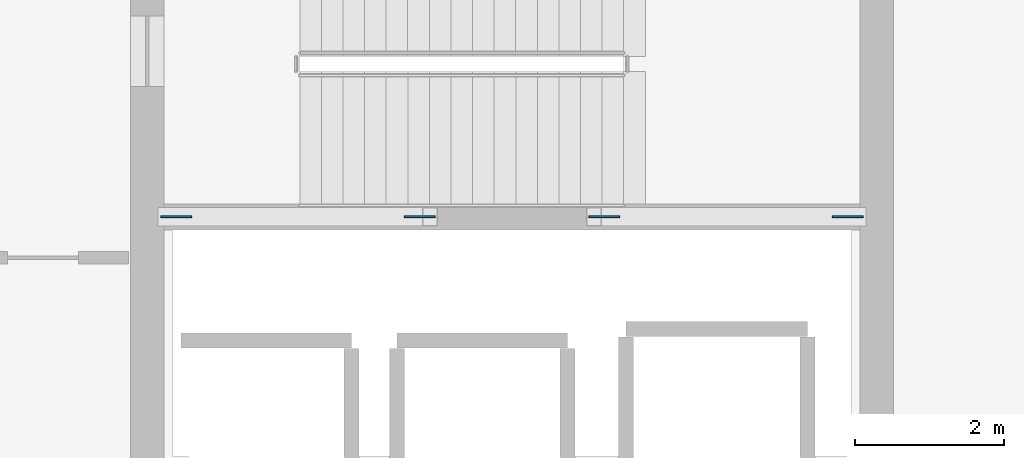
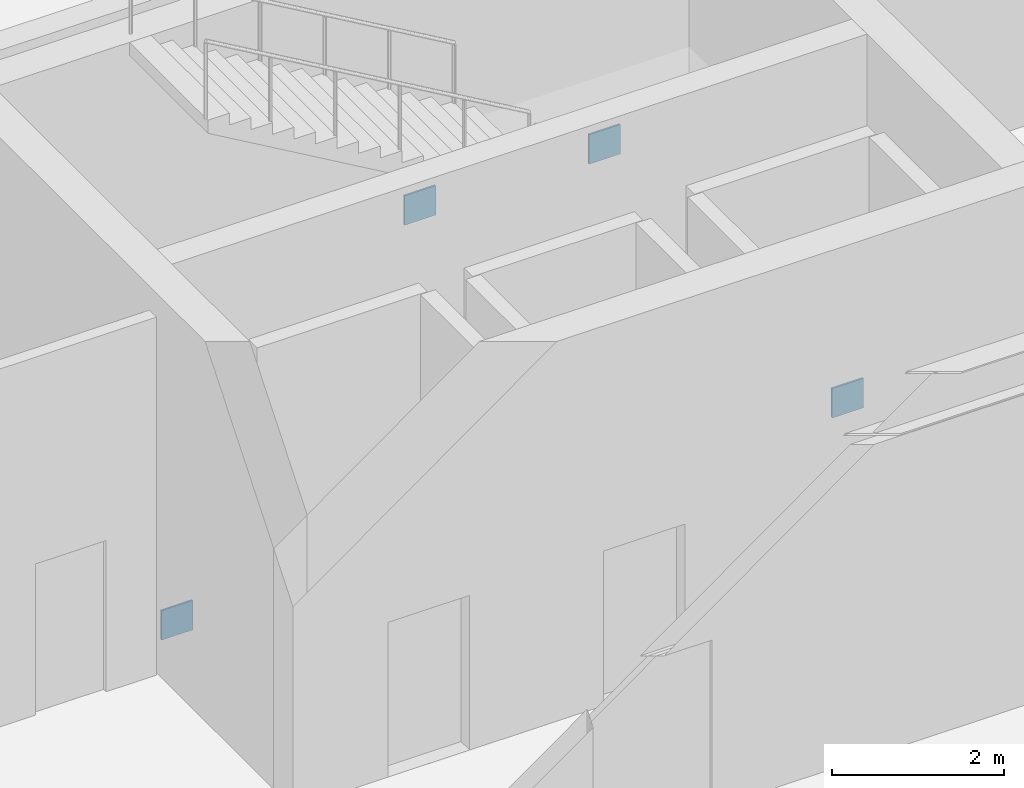
# One storey, part 69 of 94: 4 plates.
"""IFC4 building model written with IfcOpenShell, lengths in metres."""

from ifc_helpers import new_model, si_unit, direction, frame, origin, origin_2d, place, context, subcontext, project, spatial, rectangle, extrude, material, layer, layer_set, type_object, element, save


model = new_model("IFC4")

# Units and contexts
model_context = context("Model", 3, precision=1e-05, world=origin(), true_north=direction((0.0, 1.0)))
body_context = subcontext(model_context, "Body", "Model", "MODEL_VIEW")
ifc_project = project(units=[si_unit("LENGTHUNIT", "METRE"), si_unit("AREAUNIT", "SQUARE_METRE"), si_unit("VOLUMEUNIT", "CUBIC_METRE"), si_unit("PLANEANGLEUNIT", "RADIAN"), si_unit("MASSUNIT", "GRAM", prefix="KILO")], contexts=[model_context])

# Site, building, storey
site_placement = place(None, origin())
site = spatial("IfcSite", under=ifc_project, at=site_placement, CompositionType="ELEMENT")
building_placement = place(site_placement, origin())
building = spatial("IfcBuilding", under=site, at=building_placement, Name="Sollismere Congress Hotel", CompositionType="ELEMENT")
storey_placement = place(building_placement, origin())
storey = spatial("IfcBuildingStorey", under=building, at=storey_placement, Name="L00", CompositionType="ELEMENT", Elevation=0.0)

# Plates
ifc_material = material(Name="Steel ASTM A572 Grade 50", Category="steel")
ifc_layer = layer(ifc_material, 0.02490234375, Name="Steel ASTM A572 Grade 50")
ifc_layer_set = layer_set([ifc_layer], Name="Steel ASTM A572 Grade 50")
plate_type = type_object("IfcPlateType", Name="PL-GS25", PredefinedType="USERDEFINED", material=ifc_layer_set)
for number, where, z_axis, x_axis, name in (
    (1, (94.18994140625, 14.35009765625, -0.030029296875), (0.0, 0.0, 1.0), (1.0, 0.0, 0.0), "PLT-GBF-BF-001-A"),
    (2, (97.4599609375, 14.35009765625, 4.72509765625), (0.0, 0.0, 1.0), (1.0, 0.0, 0.0), "PLT-GBF-BF-001-B"),
    (3, (103.2099609375, 14.35009765625, -0.030029296875), (0.0, 0.0, 1.0), (1.0, 0.0, 0.0), "PLT-GBF-BF-002-A"),
    (4, (99.93994140625, 14.35009765625, 4.72509765625), (0.0, 0.0, 1.0), (1.0, 0.0, 0.0), "PLT-GBF-BF-002-B"),
):
    element("IfcPlate", number, at=place(storey_placement, frame(where, z_axis=z_axis, x_axis=x_axis)), inside=storey, type_object=plate_type, Name=name, ObjectType="GUSSET PLATE", PredefinedType="USERDEFINED", context=body_context, shape_type="SweptSolid", body=[
        extrude(rectangle(XDim=0.419921875, YDim=0.02490234375, at=origin_2d()), origin(), (0.0, 0.0, 1.0), 0.419921875),
    ])

save(model, "model.ifc")
